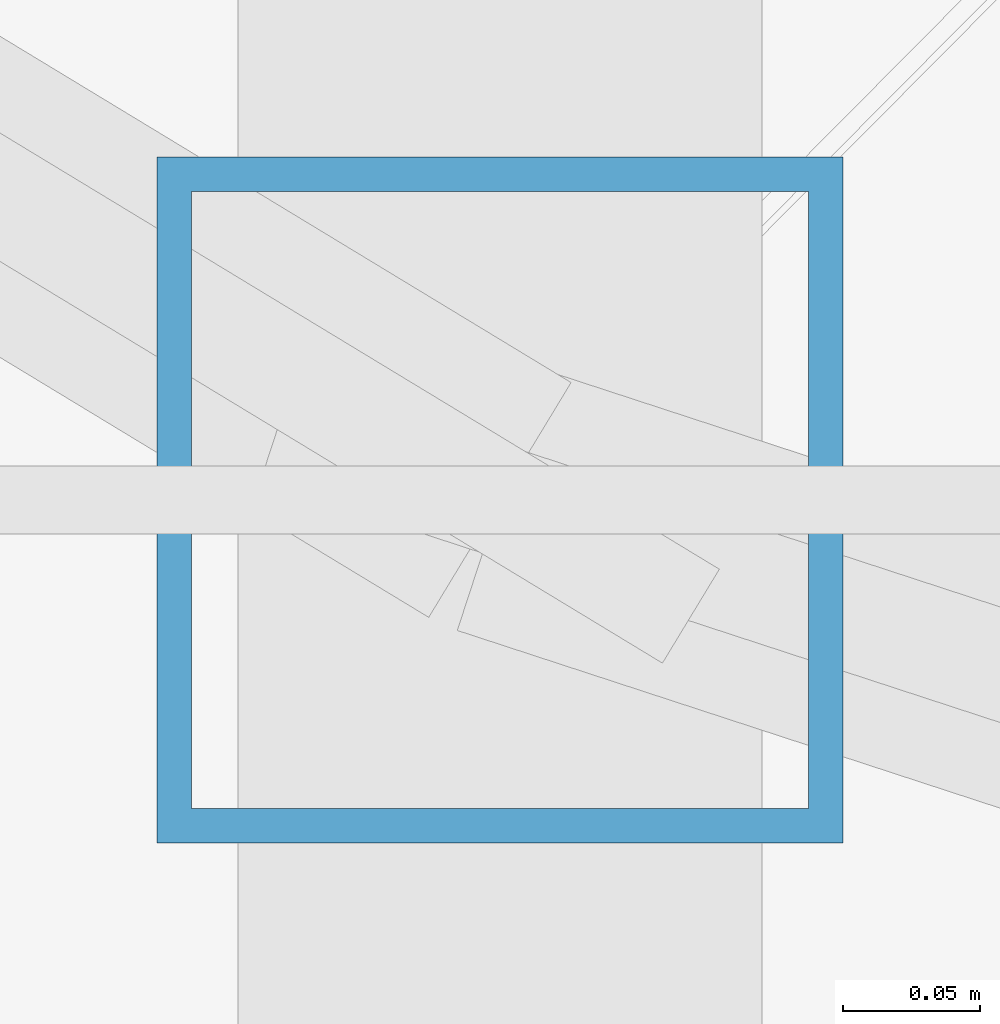
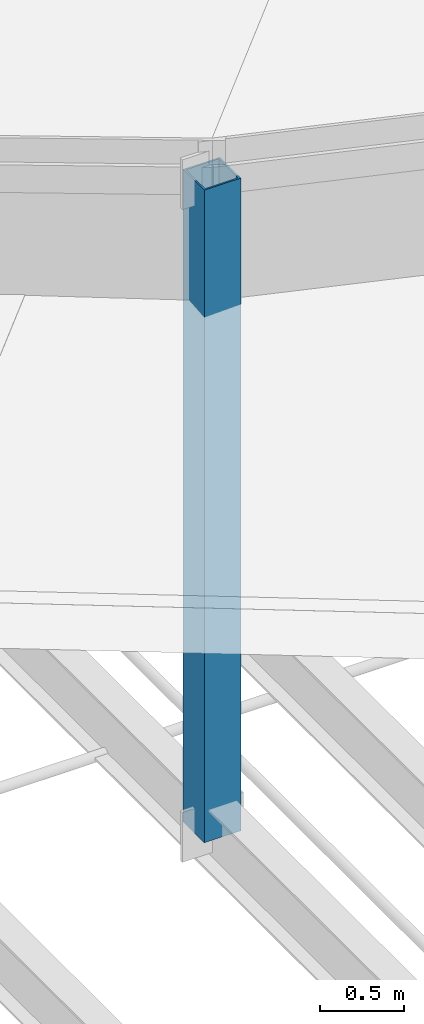
# One storey, part 4 of 184: 1 member.
"""IFC4 building model written with IfcOpenShell, lengths in metres."""

from ifc_helpers import new_model, si_unit, direction, frame, origin, origin_2d, place, context, subcontext, project, spatial, hollow_rectangle, extrude, material, material_profile, profile_set, type_object, element, save


model = new_model("IFC4")

# Units and contexts
model_context = context("Model", 3, precision=1e-05, world=origin(), true_north=direction((0.0, 1.0)))
body_context = subcontext(model_context, "Body", "Model", "MODEL_VIEW")
ifc_project = project(units=[si_unit("LENGTHUNIT", "METRE"), si_unit("AREAUNIT", "SQUARE_METRE"), si_unit("VOLUMEUNIT", "CUBIC_METRE"), si_unit("PLANEANGLEUNIT", "RADIAN"), si_unit("MASSUNIT", "GRAM", prefix="KILO")], contexts=[model_context])

# Site, building, storey
site_placement = place(None, origin())
site = spatial("IfcSite", under=ifc_project, at=site_placement, CompositionType="ELEMENT")
building_placement = place(site_placement, origin())
building = spatial("IfcBuilding", under=site, at=building_placement, Name="Kalgoora Escarpment Arena", CompositionType="ELEMENT")
storey_placement = place(building_placement, frame((0.0, 0.0, 27.60009765625)))
storey = spatial("IfcBuildingStorey", under=building, at=storey_placement, Name="Roof Level", CompositionType="ELEMENT", Elevation=27.60009765625)

# Member
ifc_material = material(Name="Structural steel C450 (450 MPa)", Category="steel")
ifc_material_profile = material_profile(ifc_material, hollow_rectangle(XDim=0.25, YDim=0.25, WallThickness=0.012451171875, at=origin_2d()))
ifc_profile_set = profile_set([ifc_material_profile], Name="Structural steel C450 (450 MPa)")
member_type = type_object("IfcMemberType", Name="MEM-PETAL-POST", PredefinedType="POST", material=ifc_profile_set)
member_placement = place(storey_placement, frame((79.199951171875, 33.3427734375, -1.02001953125), z_axis=(0.0, 0.0, 1.0), x_axis=(1.0, 0.0, 0.0)))
element("IfcMember", 1, at=member_placement, inside=storey, type_object=member_type, Name="Petal RP3 vertical support post S17", PredefinedType="POST", context=body_context, shape_type="SweptSolid", body=[
    extrude(hollow_rectangle(XDim=0.25, YDim=0.25, WallThickness=0.012451171875, at=origin_2d()), origin(), (0.0, 0.0, 1.0), 4.724853515625),
])

save(model, "model.ifc")
